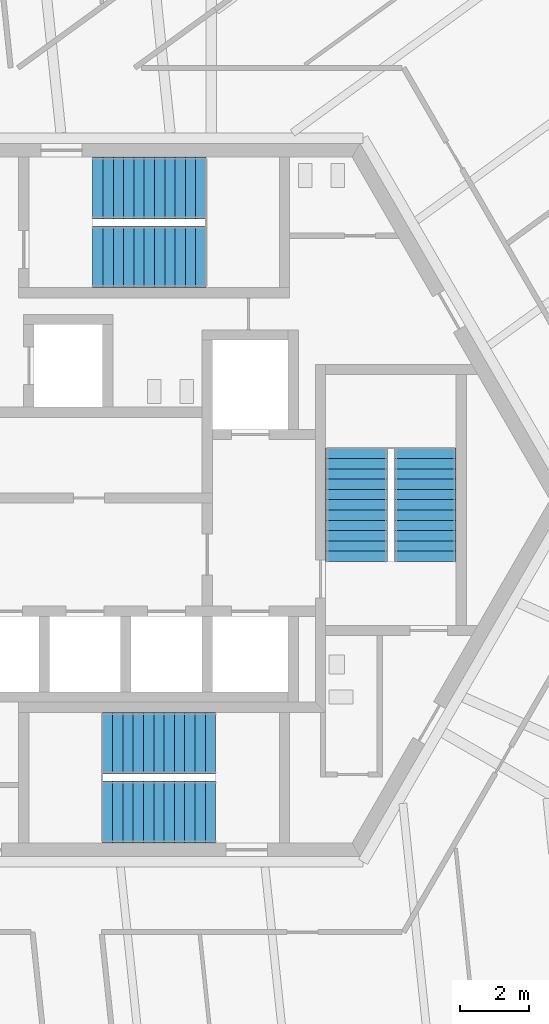
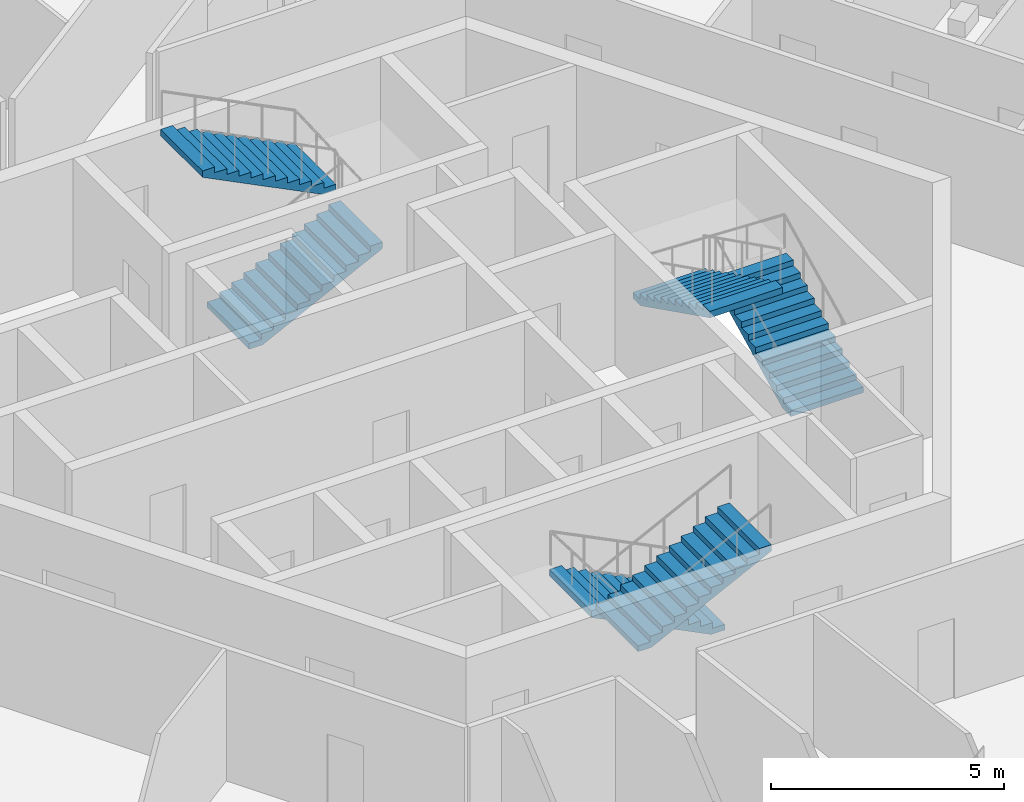
# One storey, part 15 of 21: 6 stair flights, 3 elements without a shape of their own.
"""IFC4 building model written with IfcOpenShell, lengths in metres."""

from ifc_helpers import new_model, si_unit, direction, frame, origin, place, context, subcontext, project, spatial, polyline, outline, extrude, source, transform, mapped, material, type_object, element, aggregate, save


model = new_model("IFC4")

# Units and contexts
model_context = context("Model", 3, precision=1e-05, world=origin(), true_north=direction((0.0, 1.0)))
body_context = subcontext(model_context, "Body", "Model", "MODEL_VIEW")
ifc_project = project(units=[si_unit("LENGTHUNIT", "METRE"), si_unit("AREAUNIT", "SQUARE_METRE"), si_unit("VOLUMEUNIT", "CUBIC_METRE"), si_unit("PLANEANGLEUNIT", "RADIAN"), si_unit("MASSUNIT", "GRAM", prefix="KILO")], contexts=[model_context])

# Site, building, storey
site_placement = place(None, origin())
site = spatial("IfcSite", under=ifc_project, at=site_placement, CompositionType="ELEMENT")
building_placement = place(site_placement, origin())
building = spatial("IfcBuilding", under=site, at=building_placement, Name="Triune Harvest Tower", CompositionType="ELEMENT")
storey_placement = place(building_placement, frame((0.0, 0.0, 241.300048828125)))
storey = spatial("IfcBuildingStorey", under=building, at=storey_placement, Name="L63", CompositionType="ELEMENT", Elevation=241.300048828125)

# Stair, stair flights
ifc_material_1 = material(Name="Concrete 40 MPa", Category="concrete")
stair_type = type_object("IfcStairType", Name="Exit stair 1800 half turn", PredefinedType="HALF_TURN_STAIR", material=ifc_material_1)
stair_1_placement = place(storey_placement, origin())
stair_1 = element("IfcStair", 1, at=stair_1_placement, inside=storey, type_object=stair_type, Name="Exit stair north", PredefinedType="HALF_TURN_STAIR")
ifc_material_2 = material(Name="Concrete 40 MPa", Category="concrete")
stair_flight_type = type_object("IfcStairFlightType", Name="Stair flight 1800", PredefinedType="STRAIGHT", material=ifc_material_2)
shared_shape = source(origin(), body_context, "Body", "SweptSolid", [
    extrude(outline(polyline([(0.0, 0.0), (0.0, 0.14990234375), (0.300048828125, 0.14990234375), (0.300048828125, 0.300048828125), (0.60009765625, 0.300048828125), (0.60009765625, 0.449951171875), (0.89990234375, 0.449951171875), (0.89990234375, 0.60009765625), (1.199951171875, 0.60009765625), (1.199951171875, 0.75), (1.5, 0.75), (1.5, 0.89990234375), (1.800048828125, 0.89990234375), (1.800048828125, 1.050048828125), (2.10009765625, 1.050048828125), (2.10009765625, 1.199951171875), (2.39990234375, 1.199951171875), (2.39990234375, 1.35009765625), (2.699951171875, 1.35009765625), (2.699951171875, 1.5), (3.0, 1.5), (3.0, 1.64990234375), (3.300048828125, 1.64990234375), (3.300048828125, 1.800048828125), (3.300048828125, 1.482421875), (0.335205078125, 0.0), (0.0, 0.0)])), frame((0.0, 0.89990234375, 0.0), z_axis=(0.0, -1.0, 0.0), x_axis=(1.0, 0.0, 0.0)), (0.0, 0.0, 1.0), 1.800048828125),
])
stair_flight_1_placement = place(storey_placement, frame((-1.7900390625, 7.090087890625, 0.0), z_axis=(0.0, 0.0, 1.0), x_axis=(1.0, 0.0, 0.0)))
stair_flight_1 = element("IfcStairFlight", 2, at=stair_flight_1_placement, type_object=stair_flight_type, Name="ST-1 flight 1", NumberOfRisers=12, NumberOfTreads=11, PredefinedType="STRAIGHT", RiserHeight=0.15, TreadLength=0.3, context=body_context, shape_type="MappedRepresentation", body=[
    mapped(shared_shape, transform((0.0, 0.0, 0.0), scale=1.0)),
])
stair_flight_2_placement = place(storey_placement, frame((1.510009765625, 9.090087890625, 1.800048828125), z_axis=(0.0, 0.0, 1.0), x_axis=(-1.0, 0.0, 0.0)))
stair_flight_2 = element("IfcStairFlight", 3, at=stair_flight_2_placement, type_object=stair_flight_type, Name="ST-1 flight 2", NumberOfRisers=12, NumberOfTreads=11, PredefinedType="STRAIGHT", RiserHeight=0.15, TreadLength=0.3, context=body_context, shape_type="MappedRepresentation", body=[
    mapped(shared_shape, transform((0.0, 0.0, 0.0), scale=1.0)),
])
aggregate(stair_1, [stair_flight_1, stair_flight_2])

stair_2_placement = place(storey_placement, origin())
stair_2 = element("IfcStair", 4, at=stair_2_placement, inside=storey, type_object=stair_type, Name="Exit stair south", PredefinedType="HALF_TURN_STAIR")
stair_flight_3_placement = place(storey_placement, frame((1.7900390625, -7.090087890625, 0.0), z_axis=(0.0, 0.0, 1.0), x_axis=(-1.0, 0.0, 0.0)))
stair_flight_3 = element("IfcStairFlight", 5, at=stair_flight_3_placement, type_object=stair_flight_type, Name="ST-2 flight 1", NumberOfRisers=12, NumberOfTreads=11, PredefinedType="STRAIGHT", RiserHeight=0.15, TreadLength=0.3, context=body_context, shape_type="MappedRepresentation", body=[
    mapped(shared_shape, transform((0.0, 0.0, 0.0), scale=1.0)),
])
stair_flight_4_placement = place(storey_placement, frame((-1.510009765625, -9.090087890625, 1.800048828125), z_axis=(0.0, 0.0, 1.0), x_axis=(1.0, 0.0, 0.0)))
stair_flight_4 = element("IfcStairFlight", 6, at=stair_flight_4_placement, type_object=stair_flight_type, Name="ST-2 flight 2", NumberOfRisers=12, NumberOfTreads=11, PredefinedType="STRAIGHT", RiserHeight=0.15, TreadLength=0.3, context=body_context, shape_type="MappedRepresentation", body=[
    mapped(shared_shape, transform((0.0, 0.0, 0.0), scale=1.0)),
])
aggregate(stair_2, [stair_flight_3, stair_flight_4])

stair_3_placement = place(storey_placement, origin())
stair_3 = element("IfcStair", 7, at=stair_3_placement, inside=storey, type_object=stair_type, Name="Exit stair east", PredefinedType="HALF_TURN_STAIR")
stair_flight_5_placement = place(storey_placement, frame((7.89990234375, -1.7900390625, 0.0), z_axis=(0.0, 0.0, 1.0), x_axis=(0.0, 1.0, 0.0)))
stair_flight_5 = element("IfcStairFlight", 8, at=stair_flight_5_placement, type_object=stair_flight_type, Name="ST-3 flight 1", NumberOfRisers=12, NumberOfTreads=11, PredefinedType="STRAIGHT", RiserHeight=0.15, TreadLength=0.3, context=body_context, shape_type="MappedRepresentation", body=[
    mapped(shared_shape, transform((0.0, 0.0, 0.0), scale=1.0)),
])
stair_flight_6_placement = place(storey_placement, frame((5.89990234375, 1.510009765625, 1.800048828125), z_axis=(0.0, 0.0, 1.0), x_axis=(0.0, -1.0, 0.0)))
stair_flight_6 = element("IfcStairFlight", 9, at=stair_flight_6_placement, type_object=stair_flight_type, Name="ST-3 flight 2", NumberOfRisers=12, NumberOfTreads=11, PredefinedType="STRAIGHT", RiserHeight=0.15, TreadLength=0.3, context=body_context, shape_type="MappedRepresentation", body=[
    mapped(shared_shape, transform((0.0, 0.0, 0.0), scale=1.0)),
])
aggregate(stair_3, [stair_flight_5, stair_flight_6])

save(model, "model.ifc")
